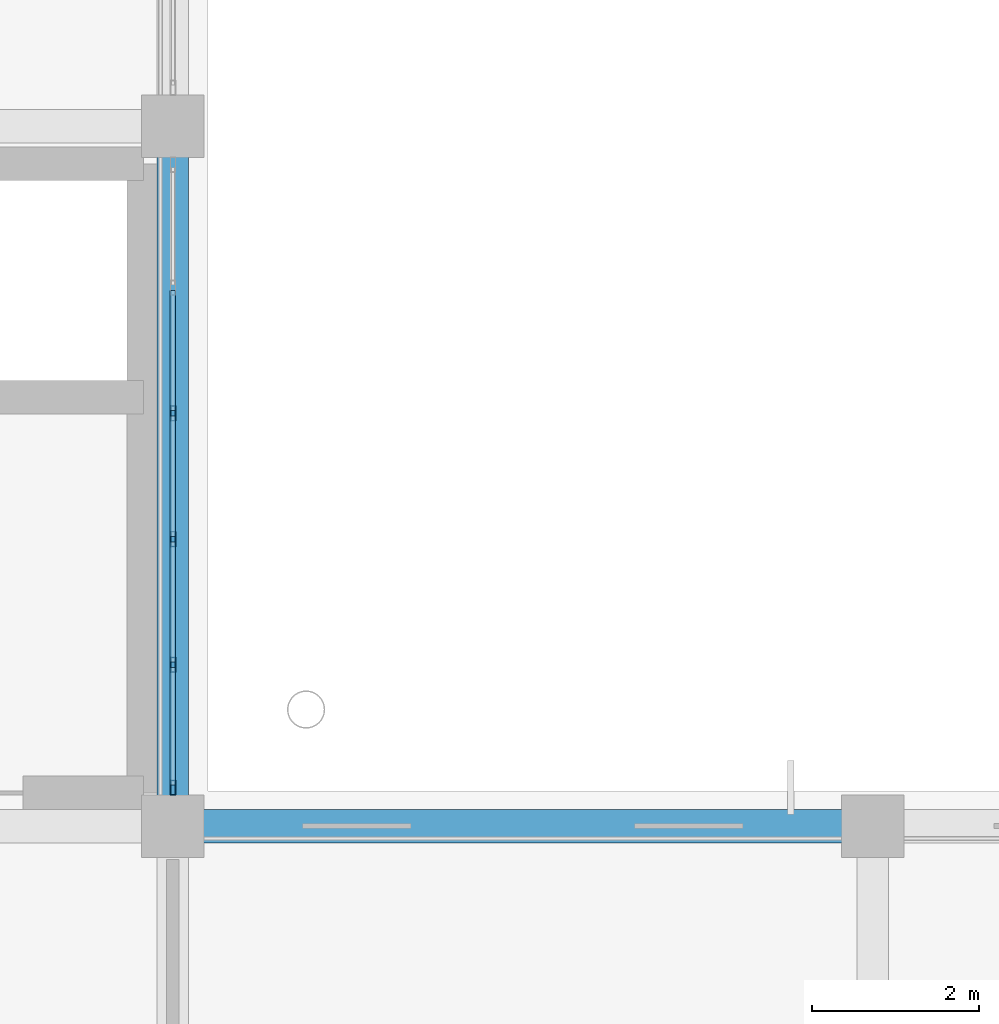
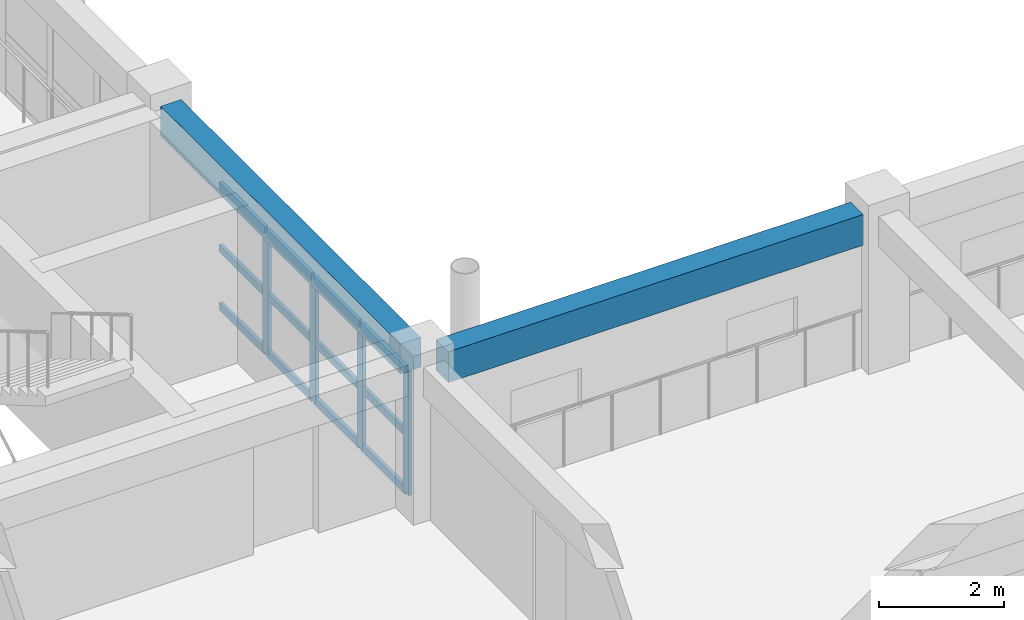
# One storey, part 127 of 200: 16 members, 2 beams, 1 element without a shape of its own.
"""IFC4 building model written with IfcOpenShell, lengths in metres."""

from ifc_helpers import new_model, si_unit, direction, frame, origin, origin_2d, place, context, subcontext, project, spatial, rectangle, hollow_rectangle, extrude, material, layer, layer_set, material_profile, profile_set, type_object, element, aggregate, save


model = new_model("IFC4")

# Units and contexts
model_context = context("Model", 3, precision=1e-05, world=origin(), true_north=direction((0.0, 1.0)))
body_context = subcontext(model_context, "Body", "Model", "MODEL_VIEW")
ifc_project = project(units=[si_unit("LENGTHUNIT", "METRE"), si_unit("AREAUNIT", "SQUARE_METRE"), si_unit("VOLUMEUNIT", "CUBIC_METRE"), si_unit("PLANEANGLEUNIT", "RADIAN"), si_unit("MASSUNIT", "GRAM", prefix="KILO")], contexts=[model_context])

# Site, building, storey
site_placement = place(None, origin())
site = spatial("IfcSite", under=ifc_project, at=site_placement, CompositionType="ELEMENT")
building_placement = place(site_placement, origin())
building = spatial("IfcBuilding", under=site, at=building_placement, Name="Trelvath General Hospital", CompositionType="ELEMENT")
storey_placement = place(building_placement, frame((0.0, 0.0, 4.800048828125)))
storey = spatial("IfcBuildingStorey", under=building, at=storey_placement, Name="L01", CompositionType="ELEMENT", Elevation=4.800048828125)

# Beams
ifc_material_1 = material(Name="Concrete C35/45", Category="concrete")
ifc_material_profile_1 = material_profile(ifc_material_1, rectangle(XDim=0.3798828125, YDim=0.580078125, at=origin_2d()), Name="RCB380x580")
ifc_profile_set_1 = profile_set([ifc_material_profile_1], Name="Concrete C35/45")
beam_type_1 = type_object("IfcBeamType", Name="Beam RC380x580", PredefinedType="BEAM", material=ifc_profile_set_1)
beam_1_placement = place(storey_placement, frame((142.800048828125, 25.570068359375, 2.72998046875), z_axis=(0.0, 1.0, 0.0), x_axis=(-1.0, 0.0, 0.0)))
element("IfcBeam", 1, at=beam_1_placement, inside=storey, type_object=beam_type_1, Name="Grid Beam BY-117D", PredefinedType="BEAM", context=body_context, shape_type="SweptSolid", body=[
    extrude(rectangle(XDim=0.3798828125, YDim=0.580078125, at=origin_2d()), origin(), (0.0, 0.0, 1.0), 7.659912109375),
])
ifc_material_2 = material(Name="Concrete C35/45", Category="concrete")
ifc_material_profile_2 = material_profile(ifc_material_2, rectangle(XDim=0.39990234375, YDim=0.60009765625, at=origin_2d()), Name="RCB400x600")
ifc_profile_set_2 = profile_set([ifc_material_profile_2], Name="Concrete C35/45")
beam_type_2 = type_object("IfcBeamType", Name="Beam RC400x600", PredefinedType="BEAM", material=ifc_profile_set_2)
beam_2_placement = place(storey_placement, frame((143.169921875, 25.199951171875, 2.719970703125), z_axis=(1.0, 0.0, 0.0), x_axis=(0.0, 1.0, 0.0)))
element("IfcBeam", 2, at=beam_2_placement, inside=storey, type_object=beam_type_2, Name="Grid Beam BX-117D", PredefinedType="BEAM", context=body_context, shape_type="SweptSolid", body=[
    extrude(rectangle(XDim=0.39990234375, YDim=0.60009765625, at=origin_2d()), origin(), (0.0, 0.0, 1.0), 7.66015625),
])

# Curtain wall, members
ifc_material_3 = material(Name="Anodised aluminium and low-E glass", Category="aluminium")
ifc_layer = layer(ifc_material_3, 0.179931640625)
ifc_layer_set = layer_set([ifc_layer], Name="Anodised aluminium and low-E glass")
curtain_wall_type = type_object("IfcCurtainWallType", Name="CW Facade 754 242 18", PredefinedType="USERDEFINED", material=ifc_layer_set)
curtain_wall_placement = place(storey_placement, origin())
curtain_wall = element("IfcCurtainWall", 3, at=curtain_wall_placement, inside=storey, type_object=curtain_wall_type, Name="Facade Curtain Wall CW-021", ObjectType="Unitised Glazed Curtain Wall", PredefinedType="USERDEFINED")
ifc_material_4 = material(Name="Anodised aluminium", Category="aluminium")
ifc_material_profile_3 = material_profile(ifc_material_4, hollow_rectangle(XDim=0.06494140625, YDim=0.179931640625, WallThickness=0.0048828125, at=origin_2d()), Name="RHS65x180x5")
ifc_profile_set_3 = profile_set([ifc_material_profile_3], Name="Anodised aluminium")
member_type_1 = type_object("IfcMemberType", Name="CurtainMullion 65x180", PredefinedType="MULLION", material=ifc_profile_set_3)
member_1_placement = place(storey_placement, frame((142.800048828125, 30.154052734375, 0.0), z_axis=(0.0, 0.0, 1.0), x_axis=(1.0, 0.0, 0.0)))
member_1 = element("IfcMember", 4, at=member_1_placement, type_object=member_type_1, Name="CW-021 mullion 3", PredefinedType="MULLION", context=body_context, shape_type="SweptSolid", body=[
    extrude(hollow_rectangle(XDim=0.06494140625, YDim=0.179931640625, WallThickness=0.0048828125, at=origin_2d()), origin(), (0.0, 0.0, 1.0), 2.419921875),
])
member_2_placement = place(storey_placement, frame((142.800048828125, 28.64599609375, 0.0), z_axis=(0.0, 0.0, 1.0), x_axis=(1.0, 0.0, 0.0)))
member_2 = element("IfcMember", 5, at=member_2_placement, type_object=member_type_1, Name="CW-021 mullion 4", PredefinedType="MULLION", context=body_context, shape_type="SweptSolid", body=[
    extrude(hollow_rectangle(XDim=0.06494140625, YDim=0.179931640625, WallThickness=0.0048828125, at=origin_2d()), origin(), (0.0, 0.0, 1.0), 2.419921875),
])
member_3_placement = place(storey_placement, frame((142.800048828125, 27.137939453125, 0.0), z_axis=(0.0, 0.0, 1.0), x_axis=(1.0, 0.0, 0.0)))
member_3 = element("IfcMember", 6, at=member_3_placement, type_object=member_type_1, Name="CW-021 mullion 5", PredefinedType="MULLION", context=body_context, shape_type="SweptSolid", body=[
    extrude(hollow_rectangle(XDim=0.06494140625, YDim=0.179931640625, WallThickness=0.0048828125, at=origin_2d()), origin(), (0.0, 0.0, 1.0), 2.419921875),
])
member_4_placement = place(storey_placement, frame((142.800048828125, 25.66259765625, 0.0), z_axis=(0.0, 0.0, 1.0), x_axis=(1.0, 0.0, 0.0)))
member_4 = element("IfcMember", 7, at=member_4_placement, type_object=member_type_1, Name="CW-021 mullion 6", PredefinedType="MULLION", context=body_context, shape_type="SweptSolid", body=[
    extrude(hollow_rectangle(XDim=0.06494140625, YDim=0.179931640625, WallThickness=0.0048828125, at=origin_2d()), origin(), (0.0, 0.0, 1.0), 2.419921875),
])
ifc_material_5 = material(Name="Anodised aluminium", Category="aluminium")
ifc_material_profile_4 = material_profile(ifc_material_5, hollow_rectangle(XDim=0.06494140625, YDim=0.14501953125, WallThickness=0.00390625, at=origin_2d()), Name="RHS65x145x4")
ifc_profile_set_4 = profile_set([ifc_material_profile_4], Name="Anodised aluminium")
member_type_2 = type_object("IfcMemberType", Name="CurtainTransom 65x145", PredefinedType="USERDEFINED", material=ifc_profile_set_4)
member_5_placement = place(storey_placement, frame((142.800048828125, 31.62939453125, 0.032470703125), z_axis=(0.0, -1.0, 0.0), x_axis=(1.0, 0.0, 0.0)))
member_5 = element("IfcMember", 8, at=member_5_placement, type_object=member_type_2, Name="CW-021 transom 2.1", ObjectType="TRANSOM", PredefinedType="USERDEFINED", context=body_context, shape_type="SweptSolid", body=[
    extrude(hollow_rectangle(XDim=0.06494140625, YDim=0.14501953125, WallThickness=0.00390625, at=origin_2d()), origin(), (0.0, 0.0, 1.0), 1.44287109375),
])
member_6_placement = place(storey_placement, frame((142.800048828125, 31.62939453125, 1.161865234375), z_axis=(0.0, -1.0, 0.0), x_axis=(1.0, 0.0, 0.0)))
member_6 = element("IfcMember", 9, at=member_6_placement, type_object=member_type_2, Name="CW-021 transom 2.2", ObjectType="TRANSOM", PredefinedType="USERDEFINED", context=body_context, shape_type="SweptSolid", body=[
    extrude(hollow_rectangle(XDim=0.06494140625, YDim=0.14501953125, WallThickness=0.00390625, at=origin_2d()), origin(), (0.0, 0.0, 1.0), 1.44287109375),
])
member_7_placement = place(storey_placement, frame((142.800048828125, 31.62939453125, 2.387451171875), z_axis=(0.0, -1.0, 0.0), x_axis=(1.0, 0.0, 0.0)))
member_7 = element("IfcMember", 10, at=member_7_placement, type_object=member_type_2, Name="CW-021 transom 2.3", ObjectType="TRANSOM", PredefinedType="USERDEFINED", context=body_context, shape_type="SweptSolid", body=[
    extrude(hollow_rectangle(XDim=0.06494140625, YDim=0.14501953125, WallThickness=0.00390625, at=origin_2d()), origin(), (0.0, 0.0, 1.0), 1.44287109375),
])
member_8_placement = place(storey_placement, frame((142.800048828125, 30.12158203125, 0.032470703125), z_axis=(0.0, -1.0, 0.0), x_axis=(1.0, 0.0, 0.0)))
member_8 = element("IfcMember", 11, at=member_8_placement, type_object=member_type_2, Name="CW-021 transom 3.1", ObjectType="TRANSOM", PredefinedType="USERDEFINED", context=body_context, shape_type="SweptSolid", body=[
    extrude(hollow_rectangle(XDim=0.06494140625, YDim=0.14501953125, WallThickness=0.00390625, at=origin_2d()), origin(), (0.0, 0.0, 1.0), 1.443115234375),
])
member_9_placement = place(storey_placement, frame((142.800048828125, 30.12158203125, 1.161865234375), z_axis=(0.0, -1.0, 0.0), x_axis=(1.0, 0.0, 0.0)))
member_9 = element("IfcMember", 12, at=member_9_placement, type_object=member_type_2, Name="CW-021 transom 3.2", ObjectType="TRANSOM", PredefinedType="USERDEFINED", context=body_context, shape_type="SweptSolid", body=[
    extrude(hollow_rectangle(XDim=0.06494140625, YDim=0.14501953125, WallThickness=0.00390625, at=origin_2d()), origin(), (0.0, 0.0, 1.0), 1.443115234375),
])
member_10_placement = place(storey_placement, frame((142.800048828125, 30.12158203125, 2.387451171875), z_axis=(0.0, -1.0, 0.0), x_axis=(1.0, 0.0, 0.0)))
member_10 = element("IfcMember", 13, at=member_10_placement, type_object=member_type_2, Name="CW-021 transom 3.3", ObjectType="TRANSOM", PredefinedType="USERDEFINED", context=body_context, shape_type="SweptSolid", body=[
    extrude(hollow_rectangle(XDim=0.06494140625, YDim=0.14501953125, WallThickness=0.00390625, at=origin_2d()), origin(), (0.0, 0.0, 1.0), 1.443115234375),
])
member_11_placement = place(storey_placement, frame((142.800048828125, 28.613525390625, 0.032470703125), z_axis=(0.0, -1.0, 0.0), x_axis=(1.0, 0.0, 0.0)))
member_11 = element("IfcMember", 14, at=member_11_placement, type_object=member_type_2, Name="CW-021 transom 4.1", ObjectType="TRANSOM", PredefinedType="USERDEFINED", context=body_context, shape_type="SweptSolid", body=[
    extrude(hollow_rectangle(XDim=0.06494140625, YDim=0.14501953125, WallThickness=0.00390625, at=origin_2d()), origin(), (0.0, 0.0, 1.0), 1.443115234375),
])
member_12_placement = place(storey_placement, frame((142.800048828125, 28.613525390625, 1.161865234375), z_axis=(0.0, -1.0, 0.0), x_axis=(1.0, 0.0, 0.0)))
member_12 = element("IfcMember", 15, at=member_12_placement, type_object=member_type_2, Name="CW-021 transom 4.2", ObjectType="TRANSOM", PredefinedType="USERDEFINED", context=body_context, shape_type="SweptSolid", body=[
    extrude(hollow_rectangle(XDim=0.06494140625, YDim=0.14501953125, WallThickness=0.00390625, at=origin_2d()), origin(), (0.0, 0.0, 1.0), 1.443115234375),
])
member_13_placement = place(storey_placement, frame((142.800048828125, 28.613525390625, 2.387451171875), z_axis=(0.0, -1.0, 0.0), x_axis=(1.0, 0.0, 0.0)))
member_13 = element("IfcMember", 16, at=member_13_placement, type_object=member_type_2, Name="CW-021 transom 4.3", ObjectType="TRANSOM", PredefinedType="USERDEFINED", context=body_context, shape_type="SweptSolid", body=[
    extrude(hollow_rectangle(XDim=0.06494140625, YDim=0.14501953125, WallThickness=0.00390625, at=origin_2d()), origin(), (0.0, 0.0, 1.0), 1.443115234375),
])
member_14_placement = place(storey_placement, frame((142.800048828125, 27.10546875, 0.032470703125), z_axis=(0.0, -1.0, 0.0), x_axis=(1.0, 0.0, 0.0)))
member_14 = element("IfcMember", 17, at=member_14_placement, type_object=member_type_2, Name="CW-021 transom 5.1", ObjectType="TRANSOM", PredefinedType="USERDEFINED", context=body_context, shape_type="SweptSolid", body=[
    extrude(hollow_rectangle(XDim=0.06494140625, YDim=0.14501953125, WallThickness=0.00390625, at=origin_2d()), origin(), (0.0, 0.0, 1.0), 1.410400390625),
])
member_15_placement = place(storey_placement, frame((142.800048828125, 27.10546875, 1.161865234375), z_axis=(0.0, -1.0, 0.0), x_axis=(1.0, 0.0, 0.0)))
member_15 = element("IfcMember", 18, at=member_15_placement, type_object=member_type_2, Name="CW-021 transom 5.2", ObjectType="TRANSOM", PredefinedType="USERDEFINED", context=body_context, shape_type="SweptSolid", body=[
    extrude(hollow_rectangle(XDim=0.06494140625, YDim=0.14501953125, WallThickness=0.00390625, at=origin_2d()), origin(), (0.0, 0.0, 1.0), 1.410400390625),
])
member_16_placement = place(storey_placement, frame((142.800048828125, 27.10546875, 2.387451171875), z_axis=(0.0, -1.0, 0.0), x_axis=(1.0, 0.0, 0.0)))
member_16 = element("IfcMember", 19, at=member_16_placement, type_object=member_type_2, Name="CW-021 transom 5.3", ObjectType="TRANSOM", PredefinedType="USERDEFINED", context=body_context, shape_type="SweptSolid", body=[
    extrude(hollow_rectangle(XDim=0.06494140625, YDim=0.14501953125, WallThickness=0.00390625, at=origin_2d()), origin(), (0.0, 0.0, 1.0), 1.410400390625),
])
aggregate(curtain_wall, [member_1, member_2, member_3, member_4, member_5, member_6, member_7, member_8, member_9, member_10, member_11, member_12, member_13, member_14, member_15, member_16])

save(model, "model.ifc")
